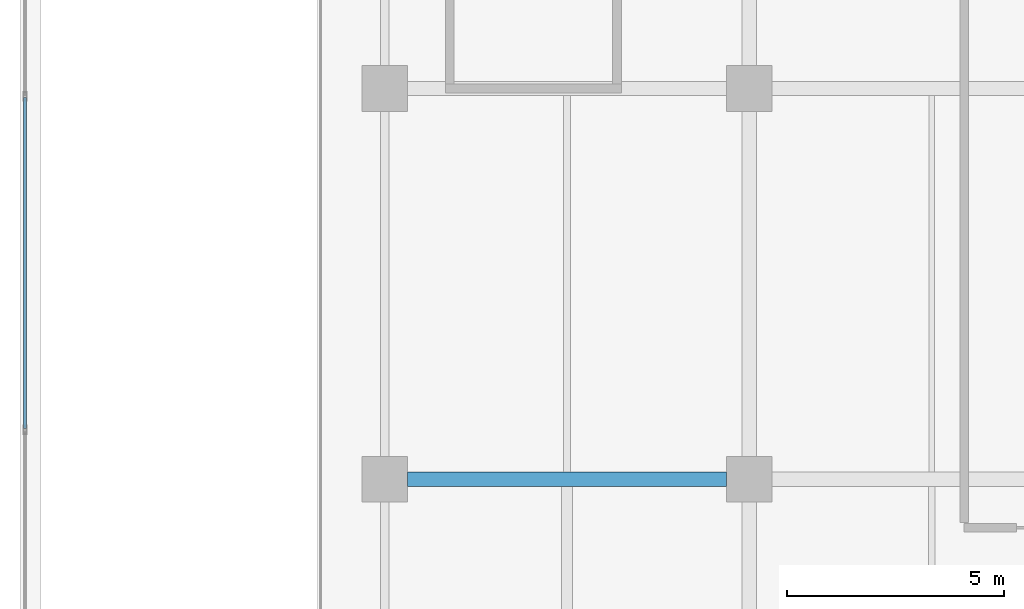
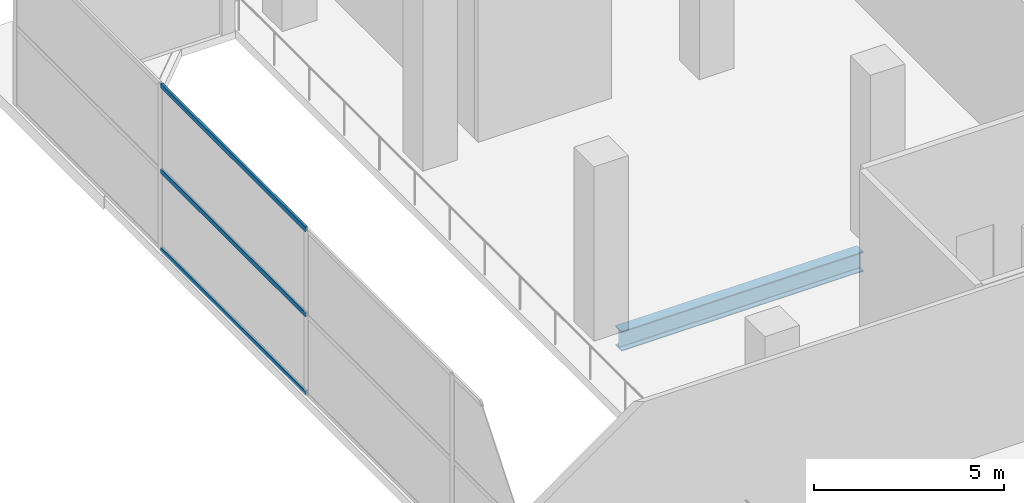
# One storey, part 18 of 35: 3 members, 1 beam, 1 element without a shape of its own.
"""IFC4 building model written with IfcOpenShell, lengths in metres."""

import ifcopenshell
import ifcopenshell.guid

model = None  # the IFC model being written
_history = None  # IfcOwnerHistory: only IFC2X3 demands one
_inside = {}  # id of a spatial element -> (the spatial element, [elements in it])
_under = {}  # id of a project, library or spatial element -> (it, [spatial elements below it])
_declared = {}  # id of a project -> (the project, [libraries it declares])
_typed = {}  # id of a type object -> (the type object, [elements of that type])
_made_of = {}  # id of a material, layer set ... -> (it, [elements and type objects made of it])


def new_model(schema):
    """Start an empty IFC model of exactly this schema.

    Asked for "IFC4X3", IfcOpenShell would pick the latest addendum, in which some entities
    have other attributes; the version numbers below select the first issue.
    IFC2X3 requires an IfcOwnerHistory on every rooted entity: one is made here for all.
    """
    global model, _history
    if schema == "IFC4X3":
        model = ifcopenshell.file(schema_version=(4, 3, 0, 0))
    else:
        model = ifcopenshell.file(schema=schema)
    _inside.clear()
    _under.clear()
    _declared.clear()
    _typed.clear()
    _made_of.clear()
    _history = None
    if model.schema == "IFC2X3":
        org = make("IfcOrganization", Name="unknown")
        user = make(
            "IfcPersonAndOrganization",
            ThePerson=make("IfcPerson", FamilyName="unknown"),
            TheOrganization=org,
        )
        app = make(
            "IfcApplication",
            ApplicationDeveloper=org,
            Version="unknown",
            ApplicationFullName="unknown",
            ApplicationIdentifier="unknown",
        )
        _history = make(
            "IfcOwnerHistory",
            OwningUser=user,
            OwningApplication=app,
            ChangeAction="ADDED",
            CreationDate=0,
        )
    return model


def make(cls, **values):
    """One entity of the class cls with the attributes given. An attribute that is None is left unset."""
    return model.create_entity(
        cls, **{name: value for name, value in values.items() if value is not None}
    )


def rooted(cls, **values):
    """An entity with a GlobalId (a new one), such as an element, a storey or a relation."""
    return make(cls, GlobalId=ifcopenshell.guid.new(), OwnerHistory=_history, **values)


def si_unit(unit_type, name, prefix=None):
    """IfcSIUnit, for example si_unit("LENGTHUNIT", "METRE", prefix="MILLI")."""
    return make("IfcSIUnit", UnitType=unit_type, Prefix=prefix, Name=name)


def assignment(units):
    """IfcUnitAssignment: the units of a project."""
    return None if units is None else make("IfcUnitAssignment", Units=units)


def point(xyz):
    """IfcCartesianPoint."""
    return None if xyz is None else make("IfcCartesianPoint", Coordinates=xyz)


def direction(xyz):
    """IfcDirection."""
    return None if xyz is None else make("IfcDirection", DirectionRatios=xyz)


def frame(location, z_axis=None, x_axis=None):
    """IfcAxis2Placement3D, a coordinate frame: its origin and axes. An axis left out is left unset."""
    return make(
        "IfcAxis2Placement3D",
        Location=point(location),
        Axis=direction(z_axis),
        RefDirection=direction(x_axis),
    )


def frame_2d(location, x_axis=None):
    """IfcAxis2Placement2D, a coordinate frame in the plane: its origin and x axis."""
    return make(
        "IfcAxis2Placement2D", Location=point(location), RefDirection=direction(x_axis)
    )


def origin():
    """The frame at (0, 0, 0) with its axes left unset."""
    return frame((0.0, 0.0, 0.0))


def origin_2d():
    """The frame at (0, 0) in the plane with its x axis left unset."""
    return frame_2d((0.0, 0.0))


def place(relative_to, where):
    """IfcLocalPlacement: puts the frame where relative to a parent placement (None: the world)."""
    return make(
        "IfcLocalPlacement", PlacementRelTo=relative_to, RelativePlacement=where
    )


def context(
    kind, dimensions, precision=None, world=None, true_north=None, identifier=None
):
    """IfcGeometricRepresentationContext, for example the 3D "Model" context."""
    return make(
        "IfcGeometricRepresentationContext",
        ContextIdentifier=identifier,
        ContextType=kind,
        CoordinateSpaceDimension=dimensions,
        Precision=precision,
        WorldCoordinateSystem=world,
        TrueNorth=true_north,
    )


def subcontext(parent, identifier, kind, view, scale=None):
    """IfcGeometricRepresentationSubContext, for example "Body" below "Model"."""
    return make(
        "IfcGeometricRepresentationSubContext",
        ContextIdentifier=identifier,
        ContextType=kind,
        ParentContext=parent,
        TargetScale=scale,
        TargetView=view,
    )


def project(units=None, contexts=None):
    """IfcProject with its units and contexts."""
    return rooted(
        "IfcProject",
        Name="project",
        RepresentationContexts=contexts,
        UnitsInContext=assignment(units),
    )


def spatial(cls, under=None, at=None, **own):
    """A site, building, storey or space (cls), placed at a placement, below another one or the project."""
    s = rooted(cls, ObjectPlacement=at, **own)
    if under is not None:
        _under.setdefault(under.id(), (under, []))[1].append(s)
    return s


def profile(cls, at=None, kind="AREA", **sizes):
    """A parametric profile (cls). Its sizes go by their IFC names, for example OverallWidth=200.0."""
    return make(cls, ProfileType=kind, Position=at, **sizes)


def hollow_rectangle(**sizes):
    """IfcRectangleHollowProfileDef."""
    return profile("IfcRectangleHollowProfileDef", **sizes)


def i_section(**sizes):
    """IfcIShapeProfileDef."""
    return profile("IfcIShapeProfileDef", **sizes)


def extrude(swept, where, along, depth):
    """IfcExtrudedAreaSolid: the profile swept, set in the frame where, extruded along a direction by depth."""
    return make(
        "IfcExtrudedAreaSolid",
        SweptArea=swept,
        Position=where,
        ExtrudedDirection=direction(along),
        Depth=depth,
    )


def shape(context_of_items, identifier, shape_type, items):
    """IfcShapeRepresentation: the items that make up one representation, for example the "Body"."""
    return make(
        "IfcShapeRepresentation",
        ContextOfItems=context_of_items,
        RepresentationIdentifier=identifier,
        RepresentationType=shape_type,
        Items=items,
    )


def material(Name=None, Category=None):
    """IfcMaterial."""
    return make("IfcMaterial", Name=Name, Category=Category)


def layer(
    of_material, thickness, ventilated=None, Name=None, Category=None, Priority=None
):
    """IfcMaterialLayer: one layer of a wall or slab, of a material (None: an air gap)."""
    return make(
        "IfcMaterialLayer",
        Material=of_material,
        LayerThickness=thickness,
        IsVentilated=ventilated,
        Name=Name,
        Category=Category,
        Priority=Priority,
    )


def layer_set(layers, Name=None):
    """IfcMaterialLayerSet."""
    return make("IfcMaterialLayerSet", MaterialLayers=layers, LayerSetName=Name)


def material_profile(
    of_material, cross_section, Name=None, Category=None, Priority=None
):
    """IfcMaterialProfile: a cross section and its material."""
    return make(
        "IfcMaterialProfile",
        Name=Name,
        Material=of_material,
        Profile=cross_section,
        Priority=Priority,
        Category=Category,
    )


def profile_set(profiles, Name=None, composite=None):
    """IfcMaterialProfileSet."""
    return make(
        "IfcMaterialProfileSet",
        Name=Name,
        MaterialProfiles=profiles,
        CompositeProfile=composite,
    )


def made_of(thing, what):
    """Note that an element or type object is made of a material, layer set ...; save() writes the relation."""
    if what is not None:
        _made_of.setdefault(what.id(), (what, []))[1].append(thing)
    return thing


def type_object(cls, material=None, **own):
    """A type object (cls), such as IfcWallType, which elements share."""
    return made_of(rooted(cls, **own), material)


def element(
    cls,
    number,
    at=None,
    inside=None,
    cuts=None,
    type_object=None,
    material=None,
    context=None,
    identifier="Body",
    shape_type=None,
    held_by="IfcProductDefinitionShape",
    body=None,
    shapes=None,
    **own,
):
    """One element of the class cls, such as IfcWall. Its Tag is "e" and its number.

    at: its placement. inside: the storey or other place that contains it. cuts: it is an
    opening in that element (IfcRelVoidsElement). A single representation is given by context,
    identifier, shape_type and body (its items); several are given by shapes. held_by: the class
    of the entity that holds the representations. save() writes the other relations.
    """
    e = rooted(cls, Tag="e%d" % number, ObjectPlacement=at, **own)
    if body is not None:
        shapes = [shape(context, identifier, shape_type, body)]
    if shapes is not None:
        e.Representation = make(held_by, Representations=shapes)
    if inside is not None:
        _inside.setdefault(inside.id(), (inside, []))[1].append(e)
    if cuts is not None:
        rooted(
            "IfcRelVoidsElement", RelatingBuildingElement=cuts, RelatedOpeningElement=e
        )
    if type_object is not None:
        _typed.setdefault(type_object.id(), (type_object, []))[1].append(e)
    return made_of(e, material)


def aggregate(whole, parts):
    """IfcRelAggregates: a whole, such as a stair, and the parts it consists of."""
    return rooted("IfcRelAggregates", RelatingObject=whole, RelatedObjects=parts)


def save(model, path):
    """Write the relations noted so far, then the file.

    IfcRelAggregates (storeys below a building ...), IfcRelContainedInSpatialStructure (elements
    in a storey), IfcRelDefinesByType, IfcRelAssociatesMaterial and IfcRelDeclares: one each for
    every whole, place, type object, material and project.
    """
    for whole, parts in _under.values():
        aggregate(whole, parts)
    for where, things in _inside.values():
        rooted(
            "IfcRelContainedInSpatialStructure",
            RelatedElements=things,
            RelatingStructure=where,
        )
    for kind, things in _typed.values():
        rooted("IfcRelDefinesByType", RelatedObjects=things, RelatingType=kind)
    for what, things in _made_of.values():
        rooted("IfcRelAssociatesMaterial", RelatedObjects=things, RelatingMaterial=what)
    for by, libraries in _declared.values():
        rooted("IfcRelDeclares", RelatingContext=by, RelatedDefinitions=libraries)
    model.write(path)


model = new_model("IFC4")

# Units and contexts
model_context = context("Model", 3, precision=1e-05, world=origin(), true_north=direction((0.0, 1.0)))
body_context = subcontext(model_context, "Body", "Model", "MODEL_VIEW")
ifc_project = project(units=[si_unit("LENGTHUNIT", "METRE"), si_unit("AREAUNIT", "SQUARE_METRE"), si_unit("VOLUMEUNIT", "CUBIC_METRE"), si_unit("PLANEANGLEUNIT", "RADIAN"), si_unit("MASSUNIT", "GRAM", prefix="KILO")], contexts=[model_context])

# Site, building, storey
site_placement = place(None, origin())
site = spatial("IfcSite", under=ifc_project, at=site_placement, CompositionType="ELEMENT")
building_placement = place(site_placement, origin())
building = spatial("IfcBuilding", under=site, at=building_placement, Name="Maruvema Waterfront Hotel and Observation Tower", CompositionType="ELEMENT")
storey_placement = place(building_placement, origin())
storey = spatial("IfcBuildingStorey", under=building, at=storey_placement, Name="L00", CompositionType="ELEMENT", Elevation=0.0)

# Curtain wall, members
ifc_material_1 = material(Name="Anodised bronze aluminium and solar-control low-E IGU", Category="aluminium")
ifc_layer = layer(ifc_material_1, 0.159912109375, Name="Podium Waterfront Storefront Curtain Wall System CW-01")
ifc_layer_set = layer_set([ifc_layer], Name="Anodised bronze aluminium and solar-control low-E IGU")
curtain_wall_type = type_object("IfcCurtainWallType", Name="Podium Waterfront Storefront Curtain Wall System CW-01", PredefinedType="USERDEFINED", material=ifc_layer_set)
curtain_wall_placement = place(storey_placement, origin())
curtain_wall = element("IfcCurtainWall", 1, at=curtain_wall_placement, inside=storey, type_object=curtain_wall_type, Name="L00 Curtain Wall CW-L00-W", ObjectType="UNITISED CURTAIN WALL", PredefinedType="USERDEFINED")
ifc_material_2 = material(Name="Anodised architectural bronze aluminium", Category="aluminium")
ifc_material_profile_1 = material_profile(ifc_material_2, hollow_rectangle(XDim=0.070068359375, YDim=0.14990234375, WallThickness=0.00390625, at=origin_2d()), Name="ALU-T70x150")
ifc_profile_set_1 = profile_set([ifc_material_profile_1], Name="Anodised architectural bronze aluminium")
member_type = type_object("IfcMemberType", Name="Curtain Wall Horizontal Transom ALU-T70x150", PredefinedType="USERDEFINED", material=ifc_profile_set_1)
member_1_placement = place(storey_placement, frame((0.1201171875, 44.78662109375, 0.030029296875), z_axis=(0.0, -1.0, 0.0), x_axis=(1.0, 0.0, 0.0)))
member_1 = element("IfcMember", 2, at=member_1_placement, type_object=member_type, Name="CW-01 transom 2.1", ObjectType="TRANSOM", PredefinedType="USERDEFINED", context=body_context, shape_type="SweptSolid", body=[
    extrude(hollow_rectangle(XDim=0.070068359375, YDim=0.14990234375, WallThickness=0.00390625, at=origin_2d()), origin(), (0.0, 0.0, 1.0), 7.623291015625),
])
member_2_placement = place(storey_placement, frame((0.1201171875, 44.78662109375, 2.550048828125), z_axis=(0.0, -1.0, 0.0), x_axis=(1.0, 0.0, 0.0)))
member_2 = element("IfcMember", 3, at=member_2_placement, type_object=member_type, Name="CW-01 transom 2.2", ObjectType="TRANSOM", PredefinedType="USERDEFINED", context=body_context, shape_type="SweptSolid", body=[
    extrude(hollow_rectangle(XDim=0.070068359375, YDim=0.14990234375, WallThickness=0.00390625, at=origin_2d()), origin(), (0.0, 0.0, 1.0), 7.623291015625),
])
member_3_placement = place(storey_placement, frame((0.1201171875, 44.78662109375, 5.2900390625), z_axis=(0.0, -1.0, 0.0), x_axis=(1.0, 0.0, 0.0)))
member_3 = element("IfcMember", 4, at=member_3_placement, type_object=member_type, Name="CW-01 transom 2.3", ObjectType="TRANSOM", PredefinedType="USERDEFINED", context=body_context, shape_type="SweptSolid", body=[
    extrude(hollow_rectangle(XDim=0.070068359375, YDim=0.14990234375, WallThickness=0.00390625, at=origin_2d()), origin(), (0.0, 0.0, 1.0), 7.623291015625),
])
aggregate(curtain_wall, [member_1, member_2, member_3])

# Beam
ifc_material_3 = material(Name="Steel ASTM A572 Grade 50", Category="steel")
ifc_material_profile_2 = material_profile(ifc_material_3, i_section(OverallWidth=0.3291015625, OverallDepth=0.635009765625, WebThickness=0.017822265625, FlangeThickness=0.031005859375, FilletRadius=0.01806640625, at=origin_2d()), Name="W610x241.0")
ifc_profile_set_2 = profile_set([ifc_material_profile_2], Name="Steel ASTM A572 Grade 50")
beam_type = type_object("IfcBeamType", Name="Primary Floor Girder W610x241.0", PredefinedType="BEAM", material=ifc_profile_set_2)
beam_placement = place(storey_placement, frame((8.925048828125, 36.0, -0.597412109375), z_axis=(1.0, 0.0, 0.0), x_axis=(0.0, 1.0, 0.0)))
element("IfcBeam", 5, at=beam_placement, inside=storey, type_object=beam_type, Name="L00 Floor Girder EW-29", PredefinedType="BEAM", context=body_context, shape_type="SweptSolid", body=[
    extrude(i_section(OverallWidth=0.3291015625, OverallDepth=0.635009765625, WebThickness=0.017822265625, FlangeThickness=0.031005859375, FilletRadius=0.01806640625, at=origin_2d()), origin(), (0.0, 0.0, 1.0), 7.349853515625),
])

save(model, "model.ifc")
